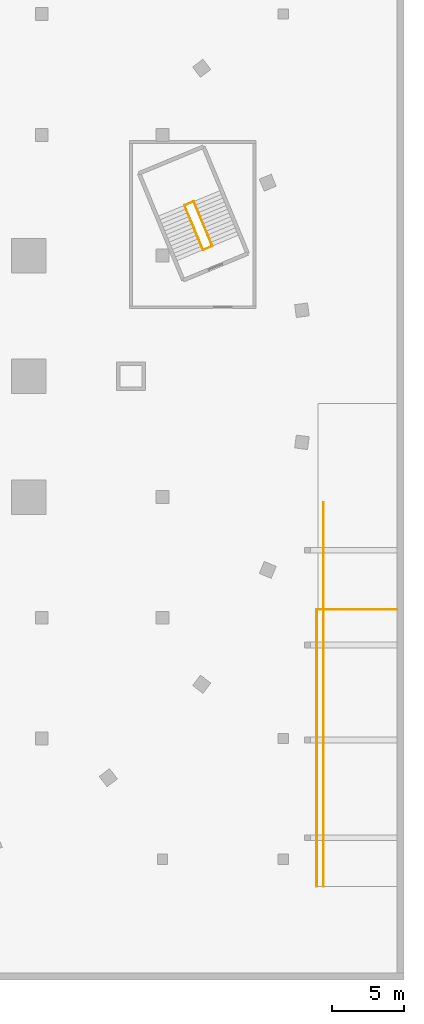
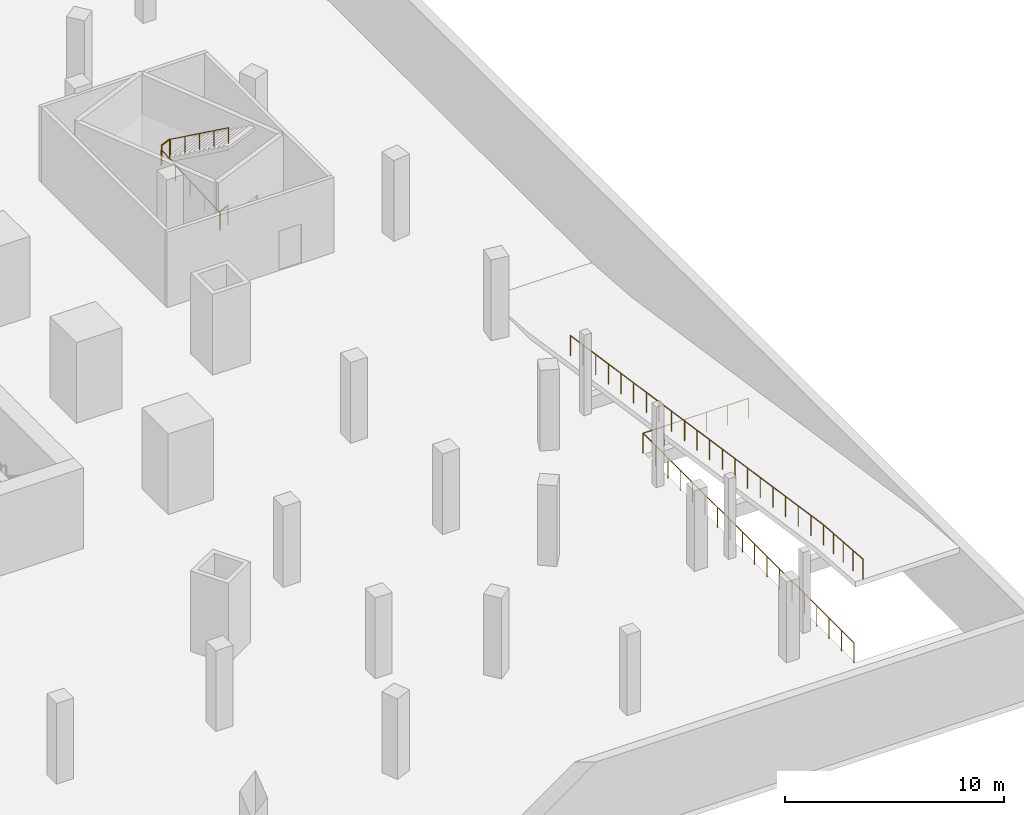
# One storey, part 9 of 9: 6 railings.
"""IFC4 building model written with IfcOpenShell, lengths in metres."""

from ifc_helpers import new_model, si_unit, direction, frame, origin, origin_2d, place, context, subcontext, project, spatial, circle, extrude, material, type_object, element, save


model = new_model("IFC4")

# Units and contexts
model_context = context("Model", 3, precision=1e-05, world=origin(), true_north=direction((0.0, 1.0)))
body_context = subcontext(model_context, "Body", "Model", "MODEL_VIEW")
ifc_project = project(units=[si_unit("LENGTHUNIT", "METRE"), si_unit("AREAUNIT", "SQUARE_METRE"), si_unit("VOLUMEUNIT", "CUBIC_METRE"), si_unit("PLANEANGLEUNIT", "RADIAN"), si_unit("MASSUNIT", "GRAM", prefix="KILO")], contexts=[model_context])

# Site, building, storey
site_placement = place(None, origin())
site = spatial("IfcSite", under=ifc_project, at=site_placement, CompositionType="ELEMENT")
building_placement = place(site_placement, origin())
building = spatial("IfcBuilding", under=site, at=building_placement, Name="Golbaran Civic Tower", CompositionType="ELEMENT")
storey_placement = place(building_placement, frame((0.0, 0.0, -9.0)))
storey = spatial("IfcBuildingStorey", under=building, at=storey_placement, Name="B2", CompositionType="ELEMENT", Elevation=-9.0)

# Railings
ifc_material_1 = material(Name="Galvanised steel guard and kerb", Category="steel")
railing_type_1 = type_object("IfcRailingType", Name="RAMP GUARD 1150", PredefinedType="GUARDRAIL", material=ifc_material_1)
railing_1_placement = place(storey_placement, frame((36.39990234375, -35.5, 4.5)))
element("IfcRailing", 1, at=railing_1_placement, inside=storey, type_object=railing_type_1, Name="Car ramp guard B1 to B2", PredefinedType="GUARDRAIL", context=body_context, shape_type="SweptSolid", body=[
    extrude(circle(Radius=0.02392578125, at=origin_2d()), frame((0.0, 0.0, 1.1259765625), z_axis=(0.0, 0.997199057707, -0.074793310581), x_axis=(-1.0, 0.0, 0.0)), (0.0, 0.0, 1.0), 3.610107421875),
    extrude(circle(Radius=0.02392578125, at=origin_2d()), frame((0.0, 3.60009765625, 0.85595703125), z_axis=(0.0, 0.988936505976, -0.148339432208), x_axis=(-1.0, 0.0, 0.0)), (0.0, 0.0, 1.0), 23.39208984375),
    extrude(circle(Radius=0.02099609375, at=origin_2d()), origin(), (0.0, 0.0, 1.0), 1.101806640625),
    extrude(circle(Radius=0.02099609375, at=origin_2d()), frame((0.0, 0.89990234375, -0.0673828125)), (0.0, 0.0, 1.0), 1.101806640625),
    extrude(circle(Radius=0.02099609375, at=origin_2d()), frame((0.0, 1.800048828125, -0.135009765625)), (0.0, 0.0, 1.0), 1.101806640625),
    extrude(circle(Radius=0.02099609375, at=origin_2d()), frame((0.0, 2.7001953125, -0.20263671875)), (0.0, 0.0, 1.0), 1.101806640625),
    extrude(circle(Radius=0.02099609375, at=origin_2d()), frame((0.0, 3.60009765625, -0.27001953125)), (0.0, 0.0, 1.0), 1.101806640625),
    extrude(circle(Radius=0.02099609375, at=origin_2d()), frame((0.0, 4.7568359375, -0.443603515625)), (0.0, 0.0, 1.0), 1.101806640625),
    extrude(circle(Radius=0.02099609375, at=origin_2d()), frame((0.0, 5.913330078125, -0.616943359375)), (0.0, 0.0, 1.0), 1.101806640625),
    extrude(circle(Radius=0.02099609375, at=origin_2d()), frame((0.0, 7.070068359375, -0.79052734375)), (0.0, 0.0, 1.0), 1.101806640625),
    extrude(circle(Radius=0.02099609375, at=origin_2d()), frame((0.0, 8.226806640625, -0.964111328125)), (0.0, 0.0, 1.0), 1.101806640625),
    extrude(circle(Radius=0.02099609375, at=origin_2d()), frame((0.0, 9.38330078125, -1.137451171875)), (0.0, 0.0, 1.0), 1.101806640625),
    extrude(circle(Radius=0.02099609375, at=origin_2d()), frame((0.0, 10.5400390625, -1.31103515625)), (0.0, 0.0, 1.0), 1.101806640625),
    extrude(circle(Radius=0.02099609375, at=origin_2d()), frame((0.0, 11.69677734375, -1.484619140625)), (0.0, 0.0, 1.0), 1.101806640625),
    extrude(circle(Radius=0.02099609375, at=origin_2d()), frame((0.0, 12.853515625, -1.657958984375)), (0.0, 0.0, 1.0), 1.101806640625),
    extrude(circle(Radius=0.02099609375, at=origin_2d()), frame((0.0, 14.010009765625, -1.83154296875)), (0.0, 0.0, 1.0), 1.101806640625),
    extrude(circle(Radius=0.02099609375, at=origin_2d()), frame((0.0, 15.166748046875, -2.0048828125)), (0.0, 0.0, 1.0), 1.101806640625),
    extrude(circle(Radius=0.02099609375, at=origin_2d()), frame((0.0, 16.323486328125, -2.178466796875)), (0.0, 0.0, 1.0), 1.101806640625),
    extrude(circle(Radius=0.02099609375, at=origin_2d()), frame((0.0, 17.47998046875, -2.35205078125)), (0.0, 0.0, 1.0), 1.101806640625),
    extrude(circle(Radius=0.02099609375, at=origin_2d()), frame((0.0, 18.63671875, -2.525390625)), (0.0, 0.0, 1.0), 1.101806640625),
    extrude(circle(Radius=0.02099609375, at=origin_2d()), frame((0.0, 19.79345703125, -2.698974609375)), (0.0, 0.0, 1.0), 1.101806640625),
    extrude(circle(Radius=0.02099609375, at=origin_2d()), frame((0.0, 20.9501953125, -2.87255859375)), (0.0, 0.0, 1.0), 1.101806640625),
    extrude(circle(Radius=0.02099609375, at=origin_2d()), frame((0.0, 22.106689453125, -3.0458984375)), (0.0, 0.0, 1.0), 1.101806640625),
    extrude(circle(Radius=0.02099609375, at=origin_2d()), frame((0.0, 23.263427734375, -3.219482421875)), (0.0, 0.0, 1.0), 1.101806640625),
    extrude(circle(Radius=0.02099609375, at=origin_2d()), frame((0.0, 24.420166015625, -3.39306640625)), (0.0, 0.0, 1.0), 1.101806640625),
    extrude(circle(Radius=0.02099609375, at=origin_2d()), frame((0.0, 25.57666015625, -3.56640625)), (0.0, 0.0, 1.0), 1.101806640625),
    extrude(circle(Radius=0.02099609375, at=origin_2d()), frame((0.0, 26.7333984375, -3.739990234375)), (0.0, 0.0, 1.0), 1.101806640625),
])
railing_2_placement = place(storey_placement, frame((35.925048828125, -35.5, 0.0)))
element("IfcRailing", 2, at=railing_2_placement, inside=storey, type_object=railing_type_1, Name="Ramp opening guard B2", PredefinedType="GUARDRAIL", context=body_context, shape_type="SweptSolid", body=[
    extrude(circle(Radius=0.02392578125, at=origin_2d()), frame((0.0, 0.0, 1.1259765625), z_axis=(0.0, 1.0, 0.0), x_axis=(-1.0, 0.0, 0.0)), (0.0, 0.0, 1.0), 19.27490234375),
    extrude(circle(Radius=0.02392578125, at=origin_2d()), frame((0.0, 19.27490234375, 1.1259765625), z_axis=(1.0, 0.0, 0.0), x_axis=(0.0, 1.0, 0.0)), (0.0, 0.0, 1.0), 5.574951171875),
    extrude(circle(Radius=0.02099609375, at=origin_2d()), origin(), (0.0, 0.0, 1.0), 1.101806640625),
    extrude(circle(Radius=0.02099609375, at=origin_2d()), frame((0.0, 1.1337890625, 0.0)), (0.0, 0.0, 1.0), 1.101806640625),
    extrude(circle(Radius=0.02099609375, at=origin_2d()), frame((0.0, 2.267578125, 0.0)), (0.0, 0.0, 1.0), 1.101806640625),
    extrude(circle(Radius=0.02099609375, at=origin_2d()), frame((0.0, 3.4013671875, 0.0)), (0.0, 0.0, 1.0), 1.101806640625),
    extrude(circle(Radius=0.02099609375, at=origin_2d()), frame((0.0, 4.53515625, 0.0)), (0.0, 0.0, 1.0), 1.101806640625),
    extrude(circle(Radius=0.02099609375, at=origin_2d()), frame((0.0, 5.669189453125, 0.0)), (0.0, 0.0, 1.0), 1.101806640625),
    extrude(circle(Radius=0.02099609375, at=origin_2d()), frame((0.0, 6.802978515625, 0.0)), (0.0, 0.0, 1.0), 1.101806640625),
    extrude(circle(Radius=0.02099609375, at=origin_2d()), frame((0.0, 7.936767578125, 0.0)), (0.0, 0.0, 1.0), 1.101806640625),
    extrude(circle(Radius=0.02099609375, at=origin_2d()), frame((0.0, 9.070556640625, 0.0)), (0.0, 0.0, 1.0), 1.101806640625),
    extrude(circle(Radius=0.02099609375, at=origin_2d()), frame((0.0, 10.204345703125, 0.0)), (0.0, 0.0, 1.0), 1.101806640625),
    extrude(circle(Radius=0.02099609375, at=origin_2d()), frame((0.0, 11.338134765625, 0.0)), (0.0, 0.0, 1.0), 1.101806640625),
    extrude(circle(Radius=0.02099609375, at=origin_2d()), frame((0.0, 12.471923828125, 0.0)), (0.0, 0.0, 1.0), 1.101806640625),
    extrude(circle(Radius=0.02099609375, at=origin_2d()), frame((0.0, 13.605712890625, 0.0)), (0.0, 0.0, 1.0), 1.101806640625),
    extrude(circle(Radius=0.02099609375, at=origin_2d()), frame((0.0, 14.73974609375, 0.0)), (0.0, 0.0, 1.0), 1.101806640625),
    extrude(circle(Radius=0.02099609375, at=origin_2d()), frame((0.0, 15.87353515625, 0.0)), (0.0, 0.0, 1.0), 1.101806640625),
    extrude(circle(Radius=0.02099609375, at=origin_2d()), frame((0.0, 17.00732421875, 0.0)), (0.0, 0.0, 1.0), 1.101806640625),
    extrude(circle(Radius=0.02099609375, at=origin_2d()), frame((0.0, 18.14111328125, 0.0)), (0.0, 0.0, 1.0), 1.101806640625),
    extrude(circle(Radius=0.02099609375, at=origin_2d()), frame((0.0, 19.27490234375, 0.0)), (0.0, 0.0, 1.0), 1.101806640625),
    extrude(circle(Radius=0.02099609375, at=origin_2d()), frame((1.114990234375, 19.27490234375, 0.0)), (0.0, 0.0, 1.0), 1.101806640625),
    extrude(circle(Radius=0.02099609375, at=origin_2d()), frame((2.22998046875, 19.27490234375, 0.0)), (0.0, 0.0, 1.0), 1.101806640625),
    extrude(circle(Radius=0.02099609375, at=origin_2d()), frame((3.344970703125, 19.27490234375, 0.0)), (0.0, 0.0, 1.0), 1.101806640625),
    extrude(circle(Radius=0.02099609375, at=origin_2d()), frame((4.4599609375, 19.27490234375, 0.0)), (0.0, 0.0, 1.0), 1.101806640625),
    extrude(circle(Radius=0.02099609375, at=origin_2d()), frame((5.574951171875, 19.27490234375, 0.0)), (0.0, 0.0, 1.0), 1.101806640625),
])
ifc_material_2 = material(Name="Steel balustrade", Category="steel")
railing_type_2 = type_object("IfcRailingType", Name="STAIR GUARD 1100", PredefinedType="GUARDRAIL", material=ifc_material_2)
railing_3_placement = place(storey_placement, frame((28.064697265625, 8.810546875, 0.0)))
element("IfcRailing", 3, at=railing_3_placement, inside=storey, type_object=railing_type_2, Name="Stair P1 well guard floor landing B2", PredefinedType="GUARDRAIL", context=body_context, shape_type="SweptSolid", body=[
    extrude(circle(Radius=0.02392578125, at=origin_2d()), frame((0.0, 0.0, 1.076171875), z_axis=(0.923917630863, 0.382591441855, 0.0), x_axis=(-0.382591441855, 0.923917630863, 0.0)), (0.0, 0.0, 1.0), 0.599853515625),
    extrude(circle(Radius=0.02099609375, at=origin_2d()), origin(), (0.0, 0.0, 1.0), 1.052001953125),
    extrude(circle(Radius=0.02099609375, at=origin_2d()), frame((0.55419921875, 0.2294921875, 0.0)), (0.0, 0.0, 1.0), 1.052001953125),
])
railing_4_placement = place(storey_placement, frame((26.77880859375, 11.914794921875, 2.25)))
element("IfcRailing", 4, at=railing_4_placement, inside=storey, type_object=railing_type_2, Name="Stair P1 well guard half landing B2", PredefinedType="GUARDRAIL", context=body_context, shape_type="SweptSolid", body=[
    extrude(circle(Radius=0.02392578125, at=origin_2d()), frame((0.0, 0.0, 1.076171875), z_axis=(0.923977174173, 0.382447619429, 0.0), x_axis=(-0.382447619429, 0.923977174173, 0.0)), (0.0, 0.0, 1.0), 0.60009765625),
    extrude(circle(Radius=0.02099609375, at=origin_2d()), origin(), (0.0, 0.0, 1.0), 1.052001953125),
    extrude(circle(Radius=0.02099609375, at=origin_2d()), frame((0.554443359375, 0.2294921875, 0.0)), (0.0, 0.0, 1.0), 1.052001953125),
])
ifc_material_3 = material(Name="Stainless steel", Category="steel")
railing_type_3 = type_object("IfcRailingType", Name="STAIR HANDRAIL 900", PredefinedType="HANDRAIL", material=ifc_material_3)
railing_5_placement = place(storey_placement, frame((28.0185546875, 8.79150390625, 0.173095703125)))
element("IfcRailing", 5, at=railing_5_placement, inside=storey, type_object=railing_type_3, Name="Stair P1 handrail flight 1 B2", PredefinedType="HANDRAIL", context=body_context, shape_type="SweptSolid", body=[
    extrude(circle(Radius=0.02392578125, at=origin_2d()), frame((0.0, 0.0, 0.8759765625), z_axis=(-0.32553207776, 0.785862990074, 0.525783441334), x_axis=(-0.923872479269, -0.382700459954, 0.0)), (0.0, 0.0, 1.0), 3.9501953125),
    extrude(circle(Radius=0.02099609375, at=origin_2d()), origin(), (0.0, 0.0, 1.0), 0.851806640625),
    extrude(circle(Radius=0.02099609375, at=origin_2d()), frame((-0.321533203125, 0.776123046875, 0.519287109375)), (0.0, 0.0, 1.0), 0.851806640625),
    extrude(circle(Radius=0.02099609375, at=origin_2d()), frame((-0.64306640625, 1.55224609375, 1.03857421875)), (0.0, 0.0, 1.0), 0.851806640625),
    extrude(circle(Radius=0.02099609375, at=origin_2d()), frame((-0.96435546875, 2.328125, 1.5576171875)), (0.0, 0.0, 1.0), 0.851806640625),
    extrude(circle(Radius=0.02099609375, at=origin_2d()), frame((-1.285888671875, 3.104248046875, 2.076904296875)), (0.0, 0.0, 1.0), 0.851806640625),
])
railing_6_placement = place(storey_placement, frame((27.37939453125, 12.16357421875, 2.423095703125)))
element("IfcRailing", 6, at=railing_6_placement, inside=storey, type_object=railing_type_3, Name="Stair P1 handrail flight 2 B2", PredefinedType="HANDRAIL", context=body_context, shape_type="SweptSolid", body=[
    extrude(circle(Radius=0.02392578125, at=origin_2d()), frame((0.0, 0.0, 0.8759765625), z_axis=(0.32553207776, -0.785862990074, 0.525783441334), x_axis=(0.923872479269, 0.382700459954, 0.0)), (0.0, 0.0, 1.0), 3.9501953125),
    extrude(circle(Radius=0.02099609375, at=origin_2d()), origin(), (0.0, 0.0, 1.0), 0.851806640625),
    extrude(circle(Radius=0.02099609375, at=origin_2d()), frame((0.321533203125, -0.776123046875, 0.519287109375)), (0.0, 0.0, 1.0), 0.851806640625),
    extrude(circle(Radius=0.02099609375, at=origin_2d()), frame((0.64306640625, -1.55224609375, 1.03857421875)), (0.0, 0.0, 1.0), 0.851806640625),
    extrude(circle(Radius=0.02099609375, at=origin_2d()), frame((0.96435546875, -2.328125, 1.5576171875)), (0.0, 0.0, 1.0), 0.851806640625),
    extrude(circle(Radius=0.02099609375, at=origin_2d()), frame((1.285888671875, -3.104248046875, 2.076904296875)), (0.0, 0.0, 1.0), 0.851806640625),
])

save(model, "model.ifc")
